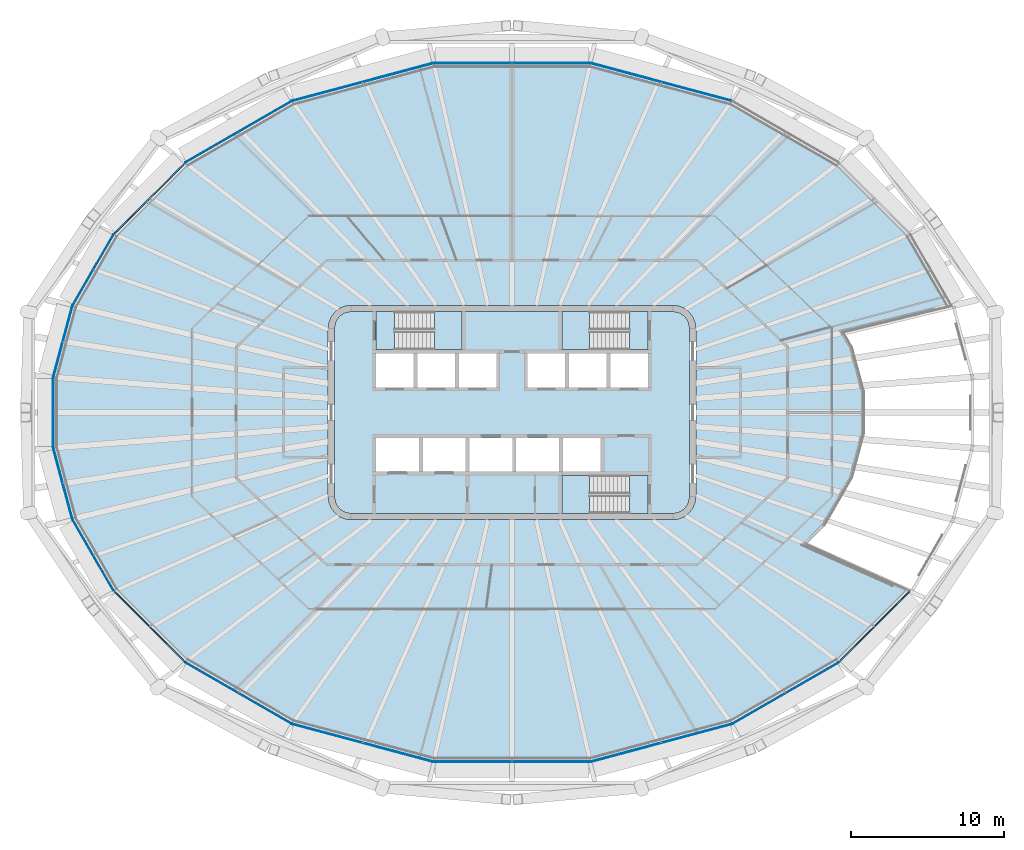
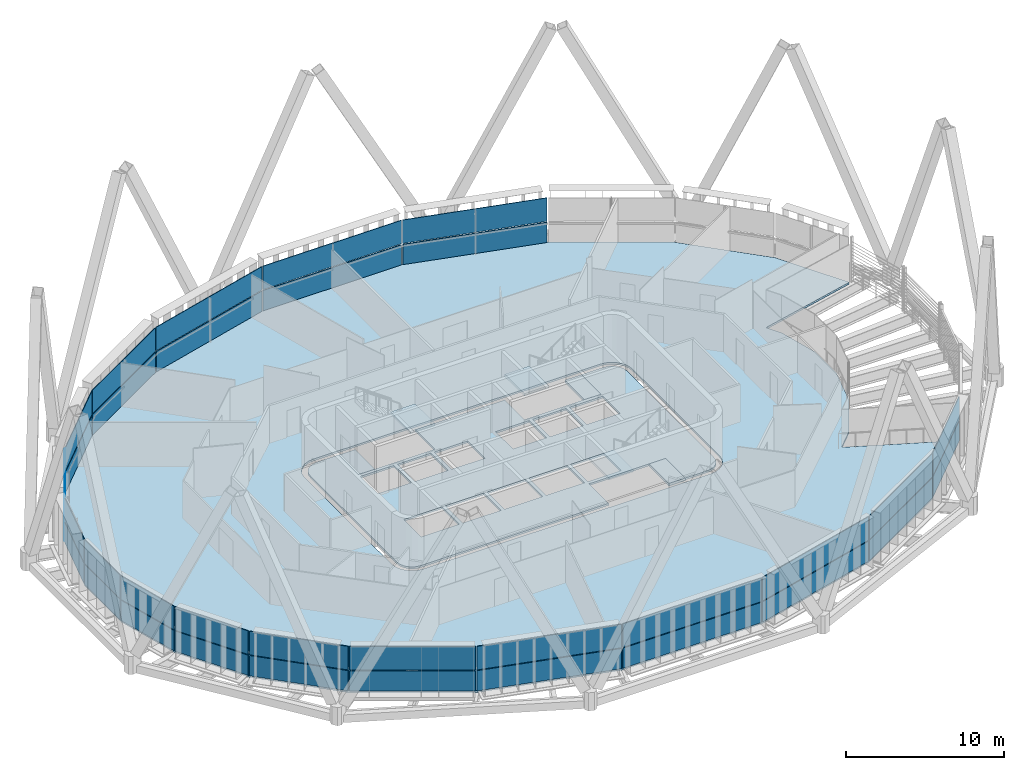
# One storey, part 9 of 20: 34 plates, 8 slabs, 20 elements without a shape of their own.
"""IFC4 building model written with IfcOpenShell, lengths in metres."""

from ifc_helpers import new_model, si_unit, direction, frame, origin, place, context, subcontext, project, spatial, polyline, outline, extrude, material, layer, layer_set, type_object, element, aggregate, save


model = new_model("IFC4")

# Units and contexts
model_context = context("Model", 3, precision=1e-05, world=origin(), true_north=direction((0.0, 1.0)))
body_context = subcontext(model_context, "Body", "Model", "MODEL_VIEW")
ifc_project = project(units=[si_unit("LENGTHUNIT", "METRE"), si_unit("AREAUNIT", "SQUARE_METRE"), si_unit("VOLUMEUNIT", "CUBIC_METRE"), si_unit("PLANEANGLEUNIT", "RADIAN"), si_unit("MASSUNIT", "GRAM", prefix="KILO")], contexts=[model_context])

# Site, building, storey
site_placement = place(None, origin())
site = spatial("IfcSite", under=ifc_project, at=site_placement, CompositionType="ELEMENT")
building_placement = place(site_placement, origin())
building = spatial("IfcBuilding", under=site, at=building_placement, Name="Sahrelin Media Tower", CompositionType="ELEMENT")
storey_placement = place(building_placement, frame((0.0, 0.0, 267.0)))
storey = spatial("IfcBuildingStorey", under=building, at=storey_placement, Name="L58", CompositionType="ELEMENT", Elevation=267.0)

# Slabs
ifc_material_1 = material(Name="Concrete C40/50", Category="concrete")
ifc_layer_1 = layer(ifc_material_1, 0.14990234375)
ifc_layer_set_1 = layer_set([ifc_layer_1], Name="Composite floor slab 150")
slab_type_1 = type_object("IfcSlabType", Name="Composite floor slab 150", PredefinedType="FLOOR", material=ifc_layer_set_1)
placement_1 = place(storey_placement, frame((0.0, 0.0, -0.14990234375)))
element("IfcSlab", 1, at=placement_1, inside=storey, type_object=slab_type_1, Name="Floor slab L58", PredefinedType="FLOOR", context=body_context, shape_type="SweptSolid", body=[
    extrude(outline(polyline([(21.345947265625, -16.2978515625), (25.975830078125, -11.667724609375), (19.164306640625, -8.608154296875), (20.39404296875, -7.37841796875), (22.19677734375, -4.256103515625), (22.966064453125, -1.385009765625), (22.966064453125, 1.385009765625), (22.19677734375, 4.256103515625), (21.628662109375, 5.239990234375), (28.699462890625, 6.952880859375), (25.9794921875, 11.664306640625), (21.345947265625, 16.2978515625), (14.355712890625, 20.33349609375), (5.11328125, 22.81005859375), (-5.11328125, 22.81005859375), (-14.355712890625, 20.33349609375), (-21.345947265625, 16.2978515625), (-25.9794921875, 11.664306640625), (-28.701171875, 6.9501953125), (-29.946044921875, 2.303955078125), (-29.946044921875, -2.303955078125), (-28.701171875, -6.9501953125), (-25.9794921875, -11.664306640625), (-21.345947265625, -16.2978515625), (-14.355712890625, -20.33349609375), (-5.11328125, -22.81005859375), (5.11328125, -22.81005859375), (14.355712890625, -20.33349609375), (21.345947265625, -16.2978515625)]), holes=[polyline([(11.799072265625, 6.25), (11.948974609375, 5.88818359375), (12.0, 5.5), (12.0, -5.5), (11.948974609375, -5.88818359375), (11.799072265625, -6.25), (11.560791015625, -6.560791015625), (11.25, -6.799072265625), (10.88818359375, -6.948974609375), (10.5, -7.0), (-10.5, -7.0), (-10.88818359375, -6.948974609375), (-11.25, -6.799072265625), (-11.560791015625, -6.560791015625), (-11.799072265625, -6.25), (-11.948974609375, -5.88818359375), (-12.0, -5.5), (-12.0, 5.5), (-11.948974609375, 5.88818359375), (-11.799072265625, 6.25), (-11.560791015625, 6.560791015625), (-11.25, 6.799072265625), (-10.88818359375, 6.948974609375), (-10.5, 7.0), (10.5, 7.0), (10.88818359375, 6.948974609375), (11.25, 6.799072265625), (11.560791015625, 6.560791015625), (11.799072265625, 6.25)])]), origin(), (0.0, 0.0, 1.0), 0.14990234375),
])
ifc_layer_2 = layer(ifc_material_1, 0.14990234375)
ifc_layer_set_2 = layer_set([ifc_layer_2], Name="Core floor slab 150")
slab_type_2 = type_object("IfcSlabType", Name="Core floor slab 150", PredefinedType="FLOOR", material=ifc_layer_set_2)
element("IfcSlab", 2, at=placement_1, inside=storey, type_object=slab_type_2, Name="Core floor", PredefinedType="FLOOR", context=body_context, shape_type="SweptSolid", body=[
    extrude(outline(polyline([(-11.60009765625, -5.473876953125), (-11.55908203125, -5.78369140625), (-11.44970703125, -6.04833984375), (-11.275390625, -6.275390625), (-11.04833984375, -6.44970703125), (-10.78369140625, -6.55908203125), (-10.473876953125, -6.60009765625), (3.27490234375, -6.60009765625), (3.27490234375, -4.10009765625), (8.875, -4.10009765625), (8.875, -6.60009765625), (10.473876953125, -6.60009765625), (10.78369140625, -6.55908203125), (11.04833984375, -6.44970703125), (11.275390625, -6.275390625), (11.44970703125, -6.04833984375), (11.55908203125, -5.78369140625), (11.60009765625, -5.473876953125), (11.60009765625, 5.473876953125), (11.55908203125, 5.78369140625), (11.44970703125, 6.04833984375), (11.275390625, 6.275390625), (11.04833984375, 6.44970703125), (10.78369140625, 6.55908203125), (10.473876953125, 6.60009765625), (8.875, 6.60009765625), (8.875, 4.10009765625), (3.27490234375, 4.10009765625), (3.27490234375, 6.60009765625), (-3.27490234375, 6.60009765625), (-3.27490234375, 4.10009765625), (-8.875, 4.10009765625), (-8.875, 6.60009765625), (-10.473876953125, 6.60009765625), (-10.78369140625, 6.55908203125), (-11.04833984375, 6.44970703125), (-11.275390625, 6.275390625), (-11.44970703125, 6.04833984375), (-11.55908203125, 5.78369140625), (-11.60009765625, 5.473876953125), (-11.60009765625, -5.473876953125)]), holes=[polyline([(-8.875, 3.85009765625), (-8.875, 1.64990234375), (-6.425048828125, 1.64990234375), (-6.425048828125, 3.85009765625), (-8.875, 3.85009765625)]), polyline([(-3.72509765625, 3.85009765625), (-6.175048828125, 3.85009765625), (-6.175048828125, 1.64990234375), (-3.72509765625, 1.64990234375), (-3.72509765625, 3.85009765625)]), polyline([(-1.02490234375, 1.64990234375), (-1.02490234375, 3.85009765625), (-3.47509765625, 3.85009765625), (-3.47509765625, 1.64990234375), (-1.02490234375, 1.64990234375)]), polyline([(1.02490234375, 1.64990234375), (3.47509765625, 1.64990234375), (3.47509765625, 3.85009765625), (1.02490234375, 3.85009765625), (1.02490234375, 1.64990234375)]), polyline([(3.72509765625, 3.85009765625), (3.72509765625, 1.64990234375), (6.175048828125, 1.64990234375), (6.175048828125, 3.85009765625), (3.72509765625, 3.85009765625)]), polyline([(8.875, 3.85009765625), (6.425048828125, 3.85009765625), (6.425048828125, 1.64990234375), (8.875, 1.64990234375), (8.875, 3.85009765625)]), polyline([(-6.074951171875, -3.85009765625), (-6.074951171875, -1.64990234375), (-8.875, -1.64990234375), (-8.875, -3.85009765625), (-6.074951171875, -3.85009765625)]), polyline([(-5.824951171875, -3.85009765625), (-3.02490234375, -3.85009765625), (-3.02490234375, -1.64990234375), (-5.824951171875, -1.64990234375), (-5.824951171875, -3.85009765625)]), polyline([(-2.77490234375, -1.64990234375), (-2.77490234375, -3.85009765625), (0.02490234375, -3.85009765625), (0.02490234375, -1.64990234375), (-2.77490234375, -1.64990234375)]), polyline([(3.074951171875, -1.64990234375), (0.27490234375, -1.64990234375), (0.27490234375, -3.85009765625), (3.074951171875, -3.85009765625), (3.074951171875, -1.64990234375)]), polyline([(5.77490234375, -3.85009765625), (5.77490234375, -1.64990234375), (3.324951171875, -1.64990234375), (3.324951171875, -3.85009765625), (5.77490234375, -3.85009765625)])]), origin(), (0.0, 0.0, 1.0), 0.14990234375),
])

# Curtain wall, plate
ifc_material_2 = material(Name="Champagne anodised aluminium 6063-T6", Category="aluminium")
ifc_layer_3 = layer(ifc_material_2, 0.14990234375)
ifc_layer_set_3 = layer_set([ifc_layer_3], Name="Tower ribbon curtain wall")
curtain_wall_type = type_object("IfcCurtainWallType", Name="Tower ribbon curtain wall", PredefinedType="NOTDEFINED", material=ifc_layer_set_3)
curtain_wall_1_placement = place(storey_placement, frame((9.73974609375, 21.59130859375, 0.0), z_axis=(0.0, 0.0, 1.0), x_axis=(1.0, 0.0, 0.0)))
curtain_wall_1 = element("IfcCurtainWall", 3, at=curtain_wall_1_placement, inside=storey, type_object=curtain_wall_type, Name="L58:CW:L58-05", PredefinedType="NOTDEFINED")
ifc_material_3 = material(Name="Clear low-iron glazing", Category="glass")
ifc_layer_4 = layer(ifc_material_3, 0.048095703125)
ifc_layer_set_4 = layer_set([ifc_layer_4], Name="Glazing panel 48 mm CW1C")
plate_type_1 = type_object("IfcPlateType", Name="Glazing panel 48 mm CW1C", PredefinedType="CURTAIN_PANEL", material=ifc_layer_set_4)
plate_1_placement = place(storey_placement, frame((14.3203125, 20.384521484375, 1.6298828125), z_axis=(0.258812513968, 0.965927576278, 0.0), x_axis=(-0.965927576278, 0.258812513968, 0.0)))
plate_1 = element("IfcPlate", 4, at=plate_1_placement, type_object=plate_type_1, Name="L58:CWP2:L58-05", PredefinedType="CURTAIN_PANEL", context=body_context, shape_type="SweptSolid", body=[
    extrude(outline(polyline([(0.0, 0.0), (9.4736328125, 0.0), (9.4736328125, 1.818603515625), (0.0, 1.818603515625), (0.0, 0.0)])), origin(), (0.0, 0.0, -1.0), 0.048095703125),
])

curtain_wall_2_placement = place(storey_placement, frame((0.0, 22.830078125, 0.0), z_axis=(0.0, 0.0, 1.0), x_axis=(1.0, 0.0, 0.0)))
curtain_wall_2 = element("IfcCurtainWall", 5, at=curtain_wall_2_placement, inside=storey, type_object=curtain_wall_type, Name="L58:CW:L58-06", PredefinedType="NOTDEFINED")
plate_2_placement = place(storey_placement, frame((5.06591796875, 22.85009765625, 1.6298828125), z_axis=(0.0, 1.0, 0.0), x_axis=(-1.0, 0.0, 0.0)))
plate_2 = element("IfcPlate", 6, at=plate_2_placement, type_object=plate_type_1, Name="L58:CWP2:L58-06", PredefinedType="CURTAIN_PANEL", context=body_context, shape_type="SweptSolid", body=[
    extrude(outline(polyline([(0.0, 0.0), (10.1318359375, 0.0), (10.1318359375, 1.818603515625), (0.0, 1.818603515625), (0.0, 0.0)])), origin(), (0.0, 0.0, -1.0), 0.048095703125),
])

curtain_wall_3_placement = place(storey_placement, frame((-9.73974609375, 21.591064453125, 0.0), z_axis=(0.0, 0.0, 1.0), x_axis=(1.0, 0.0, 0.0)))
curtain_wall_3 = element("IfcCurtainWall", 7, at=curtain_wall_3_placement, inside=storey, type_object=curtain_wall_type, Name="L58:CW:L58-07", PredefinedType="NOTDEFINED")
plate_3_placement = place(storey_placement, frame((-5.16943359375, 22.83642578125, 1.6298828125), z_axis=(-0.258812513968, 0.965927576278, 0.0), x_axis=(-0.965927576278, -0.258812513968, 0.0)))
plate_3 = element("IfcPlate", 8, at=plate_3_placement, type_object=plate_type_1, Name="L58:CWP2:L58-07", PredefinedType="CURTAIN_PANEL", context=body_context, shape_type="SweptSolid", body=[
    extrude(outline(polyline([(0.0, 0.0), (9.4736328125, 0.0), (9.4736328125, 1.818603515625), (0.0, 1.818603515625), (0.0, 0.0)])), origin(), (0.0, 0.0, -1.0), 0.048095703125),
])

curtain_wall_4_placement = place(storey_placement, frame((-17.86083984375, 18.3330078125, 0.0), z_axis=(0.0, 0.0, 1.0), x_axis=(1.0, 0.0, 0.0)))
curtain_wall_4 = element("IfcCurtainWall", 9, at=curtain_wall_4_placement, inside=storey, type_object=curtain_wall_type, Name="L58:CW:L58-08", PredefinedType="NOTDEFINED")
plate_4_placement = place(storey_placement, frame((-14.416748046875, 20.344482421875, 1.6298828125), z_axis=(-0.499983857782, 0.866034723298, 0.0), x_axis=(-0.866034723298, -0.499983857782, 0.0)))
plate_4 = element("IfcPlate", 10, at=plate_4_placement, type_object=plate_type_1, Name="L58:CWP2:L58-08", PredefinedType="CURTAIN_PANEL", context=body_context, shape_type="SweptSolid", body=[
    extrude(outline(polyline([(0.0, 0.0), (7.976806640625, 0.0), (7.976806640625, 1.818603515625), (0.0, 1.818603515625), (0.0, 0.0)])), origin(), (0.0, 0.0, -1.0), 0.048095703125),
])

curtain_wall_5_placement = place(storey_placement, frame((-23.6767578125, 13.9951171875, 0.0), z_axis=(0.0, 0.0, 1.0), x_axis=(1.0, 0.0, 0.0)))
curtain_wall_5 = element("IfcCurtainWall", 11, at=curtain_wall_5_placement, inside=storey, type_object=curtain_wall_type, Name="L58:CW:L58-09", PredefinedType="NOTDEFINED")
plate_5_placement = place(storey_placement, frame((-21.40771484375, 16.29248046875, 1.6298828125), z_axis=(-0.707106781187, 0.707106781187, 0.0), x_axis=(-0.707106781187, -0.707106781187, 0.0)))
plate_5 = element("IfcPlate", 12, at=plate_5_placement, type_object=plate_type_1, Name="L58:CWP2:L58-09", PredefinedType="CURTAIN_PANEL", context=body_context, shape_type="SweptSolid", body=[
    extrude(outline(polyline([(0.0, 0.0), (6.457763671875, 0.0), (6.457763671875, 1.818603515625), (0.0, 1.818603515625), (0.0, 0.0)])), origin(), (0.0, 0.0, -1.0), 0.048095703125),
])

curtain_wall_6_placement = place(storey_placement, frame((-27.357666015625, 9.317138671875, 0.0), z_axis=(0.0, 0.0, 1.0), x_axis=(1.0, 0.0, 0.0)))
curtain_wall_6 = element("IfcCurtainWall", 13, at=curtain_wall_6_placement, inside=storey, type_object=curtain_wall_type, Name="L58:CW:L58-10", PredefinedType="NOTDEFINED")
plate_6_placement = place(storey_placement, frame((-26.03759765625, 11.643310546875, 1.6298828125), z_axis=(-0.866006956136, 0.500031950903, 0.0), x_axis=(-0.500031950903, -0.866006956136, 0.0)))
plate_6 = element("IfcPlate", 14, at=plate_6_placement, type_object=plate_type_1, Name="L58:CWP2:L58-10", PredefinedType="CURTAIN_PANEL", context=body_context, shape_type="SweptSolid", body=[
    extrude(outline(polyline([(0.0, 0.0), (5.348876953125, 0.0), (5.348876953125, 1.818603515625), (0.0, 1.818603515625), (0.0, 0.0)])), origin(), (0.0, 0.0, -1.0), 0.048095703125),
])

curtain_wall_7_placement = place(storey_placement, frame((-29.343017578125, 4.632080078125, 0.0), z_axis=(0.0, 0.0, 1.0), x_axis=(1.0, 0.0, 0.0)))
curtain_wall_7 = element("IfcCurtainWall", 15, at=curtain_wall_7_placement, inside=storey, type_object=curtain_wall_type, Name="L58:CW:L58-11", PredefinedType="NOTDEFINED")
plate_7_placement = place(storey_placement, frame((-28.752197265625, 6.914794921875, 1.6298828125), z_axis=(-0.965936959015, 0.25877749363, 0.0), x_axis=(-0.25877749363, -0.965936959015, 0.0)))
plate_7 = element("IfcPlate", 16, at=plate_7_placement, type_object=plate_type_1, Name="L58:CWP2:L58-11", PredefinedType="CURTAIN_PANEL", context=body_context, shape_type="SweptSolid", body=[
    extrude(outline(polyline([(0.0, 0.0), (4.71533203125, 0.0), (4.71533203125, 1.818603515625), (0.0, 1.818603515625), (0.0, 0.0)])), origin(), (0.0, 0.0, -1.0), 0.048095703125),
])

curtain_wall_8_placement = place(storey_placement, frame((-29.966064453125, 0.0, 0.0), z_axis=(0.0, 0.0, 1.0), x_axis=(1.0, 0.0, 0.0)))
curtain_wall_8 = element("IfcCurtainWall", 17, at=curtain_wall_8_placement, inside=storey, type_object=curtain_wall_type, Name="L58:CW:L58-12", PredefinedType="NOTDEFINED")
plate_8_placement = place(storey_placement, frame((-29.986083984375, 2.256591796875, 1.6298828125), z_axis=(-1.0, 0.0, 0.0), x_axis=(0.0, -1.0, 0.0)))
plate_8 = element("IfcPlate", 18, at=plate_8_placement, type_object=plate_type_1, Name="L58:CWP2:L58-12", PredefinedType="CURTAIN_PANEL", context=body_context, shape_type="SweptSolid", body=[
    extrude(outline(polyline([(0.0, 0.0), (4.51318359375, 0.0), (4.51318359375, 1.818603515625), (0.0, 1.818603515625), (0.0, 0.0)])), origin(), (0.0, 0.0, -1.0), 0.048095703125),
])

curtain_wall_9_placement = place(storey_placement, frame((-29.343017578125, -4.632080078125, 0.0), z_axis=(0.0, 0.0, 1.0), x_axis=(1.0, 0.0, 0.0)))
curtain_wall_9 = element("IfcCurtainWall", 19, at=curtain_wall_9_placement, inside=storey, type_object=curtain_wall_type, Name="L58:CW:L58-13", PredefinedType="NOTDEFINED")
plate_9_placement = place(storey_placement, frame((-29.972412109375, -2.360107421875, 1.6298828125), z_axis=(-0.965936959015, -0.25877749363, 0.0), x_axis=(0.25877749363, -0.965936959015, 0.0)))
plate_9 = element("IfcPlate", 20, at=plate_9_placement, type_object=plate_type_1, Name="L58:CWP2:L58-13", PredefinedType="CURTAIN_PANEL", context=body_context, shape_type="SweptSolid", body=[
    extrude(outline(polyline([(0.0, 0.0), (4.71533203125, 0.0), (4.71533203125, 1.818603515625), (0.0, 1.818603515625), (0.0, 0.0)])), origin(), (0.0, 0.0, -1.0), 0.048095703125),
])

curtain_wall_10_placement = place(storey_placement, frame((-27.357666015625, -9.3173828125, 0.0), z_axis=(0.0, 0.0, 1.0), x_axis=(1.0, 0.0, 0.0)))
curtain_wall_10 = element("IfcCurtainWall", 21, at=curtain_wall_10_placement, inside=storey, type_object=curtain_wall_type, Name="L58:CW:L58-14", PredefinedType="NOTDEFINED")
plate_10_placement = place(storey_placement, frame((-28.712158203125, -7.01123046875, 1.6298828125), z_axis=(-0.866006956136, -0.500031950903, 0.0), x_axis=(0.500031950903, -0.866006956136, 0.0)))
plate_10 = element("IfcPlate", 22, at=plate_10_placement, type_object=plate_type_1, Name="L58:CWP2:L58-14", PredefinedType="CURTAIN_PANEL", context=body_context, shape_type="SweptSolid", body=[
    extrude(outline(polyline([(0.0, 0.0), (5.348876953125, 0.0), (5.348876953125, 1.818603515625), (0.0, 1.818603515625), (0.0, 0.0)])), origin(), (0.0, 0.0, -1.0), 0.048095703125),
])

curtain_wall_11_placement = place(storey_placement, frame((-23.6767578125, -13.9951171875, 0.0), z_axis=(0.0, 0.0, 1.0), x_axis=(1.0, 0.0, 0.0)))
curtain_wall_11 = element("IfcCurtainWall", 23, at=curtain_wall_11_placement, inside=storey, type_object=curtain_wall_type, Name="L58:CW:L58-15", PredefinedType="NOTDEFINED")
plate_11_placement = place(storey_placement, frame((-25.97412109375, -11.72607421875, 1.6298828125), z_axis=(-0.707106781187, -0.707106781187, 0.0), x_axis=(0.707106781187, -0.707106781187, 0.0)))
plate_11 = element("IfcPlate", 24, at=plate_11_placement, type_object=plate_type_1, Name="L58:CWP2:L58-15", PredefinedType="CURTAIN_PANEL", context=body_context, shape_type="SweptSolid", body=[
    extrude(outline(polyline([(0.0, 0.0), (6.457763671875, 0.0), (6.457763671875, 1.818603515625), (0.0, 1.818603515625), (0.0, 0.0)])), origin(), (0.0, 0.0, -1.0), 0.048095703125),
])

curtain_wall_12_placement = place(storey_placement, frame((-17.86083984375, -18.3330078125, 0.0), z_axis=(0.0, 0.0, 1.0), x_axis=(1.0, 0.0, 0.0)))
curtain_wall_12 = element("IfcCurtainWall", 25, at=curtain_wall_12_placement, inside=storey, type_object=curtain_wall_type, Name="L58:CW:L58-16", PredefinedType="NOTDEFINED")
plate_12_placement = place(storey_placement, frame((-21.324951171875, -16.356201171875, 1.6298828125), z_axis=(-0.499983857782, -0.866034723298, 0.0), x_axis=(0.866034723298, -0.499983857782, 0.0)))
plate_12 = element("IfcPlate", 26, at=plate_12_placement, type_object=plate_type_1, Name="L58:CWP2:L58-16", PredefinedType="CURTAIN_PANEL", context=body_context, shape_type="SweptSolid", body=[
    extrude(outline(polyline([(0.0, 0.0), (7.976806640625, 0.0), (7.976806640625, 1.818603515625), (0.0, 1.818603515625), (0.0, 0.0)])), origin(), (0.0, 0.0, -1.0), 0.048095703125),
])

curtain_wall_13_placement = place(storey_placement, frame((-9.73974609375, -21.59130859375, 0.0), z_axis=(0.0, 0.0, 1.0), x_axis=(1.0, 0.0, 0.0)))
curtain_wall_13 = element("IfcCurtainWall", 27, at=curtain_wall_13_placement, inside=storey, type_object=curtain_wall_type, Name="L58:CW:L58-17", PredefinedType="NOTDEFINED")
plate_13_placement = place(storey_placement, frame((-14.3203125, -20.384521484375, 1.6298828125), z_axis=(-0.258812513968, -0.965927576278, 0.0), x_axis=(0.965927576278, -0.258812513968, 0.0)))
plate_13 = element("IfcPlate", 28, at=plate_13_placement, type_object=plate_type_1, Name="L58:CWP2:L58-17", PredefinedType="CURTAIN_PANEL", context=body_context, shape_type="SweptSolid", body=[
    extrude(outline(polyline([(0.0, 0.0), (9.4736328125, 0.0), (9.4736328125, 1.818603515625), (0.0, 1.818603515625), (0.0, 0.0)])), origin(), (0.0, 0.0, -1.0), 0.048095703125),
])

curtain_wall_14_placement = place(storey_placement, frame((0.0, -22.830078125, 0.0), z_axis=(0.0, 0.0, 1.0), x_axis=(1.0, 0.0, 0.0)))
curtain_wall_14 = element("IfcCurtainWall", 29, at=curtain_wall_14_placement, inside=storey, type_object=curtain_wall_type, Name="L58:CW:L58-18", PredefinedType="NOTDEFINED")
plate_14_placement = place(storey_placement, frame((-5.06591796875, -22.85009765625, 1.6298828125), z_axis=(0.0, -1.0, 0.0), x_axis=(1.0, 0.0, 0.0)))
plate_14 = element("IfcPlate", 30, at=plate_14_placement, type_object=plate_type_1, Name="L58:CWP2:L58-18", PredefinedType="CURTAIN_PANEL", context=body_context, shape_type="SweptSolid", body=[
    extrude(outline(polyline([(0.0, 0.0), (10.1318359375, 0.0), (10.1318359375, 1.818603515625), (0.0, 1.818603515625), (0.0, 0.0)])), origin(), (0.0, 0.0, -1.0), 0.048095703125),
])

curtain_wall_15_placement = place(storey_placement, frame((9.73974609375, -21.591064453125, 0.0), z_axis=(0.0, 0.0, 1.0), x_axis=(1.0, 0.0, 0.0)))
curtain_wall_15 = element("IfcCurtainWall", 31, at=curtain_wall_15_placement, inside=storey, type_object=curtain_wall_type, Name="L58:CW:L58-19", PredefinedType="NOTDEFINED")
plate_15_placement = place(storey_placement, frame((5.16943359375, -22.83642578125, 1.6298828125), z_axis=(0.258812513968, -0.965927576278, 0.0), x_axis=(0.965927576278, 0.258812513968, 0.0)))
plate_15 = element("IfcPlate", 32, at=plate_15_placement, type_object=plate_type_1, Name="L58:CWP2:L58-19", PredefinedType="CURTAIN_PANEL", context=body_context, shape_type="SweptSolid", body=[
    extrude(outline(polyline([(0.0, 0.0), (9.4736328125, 0.0), (9.4736328125, 1.818603515625), (0.0, 1.818603515625), (0.0, 0.0)])), origin(), (0.0, 0.0, -1.0), 0.048095703125),
])

curtain_wall_16_placement = place(storey_placement, frame((17.86083984375, -18.3330078125, 0.0), z_axis=(0.0, 0.0, 1.0), x_axis=(1.0, 0.0, 0.0)))
curtain_wall_16 = element("IfcCurtainWall", 33, at=curtain_wall_16_placement, inside=storey, type_object=curtain_wall_type, Name="L58:CW:L58-20", PredefinedType="NOTDEFINED")
plate_16_placement = place(storey_placement, frame((14.416748046875, -20.344482421875, 1.6298828125), z_axis=(0.499983857782, -0.866034723298, 0.0), x_axis=(0.866034723298, 0.499983857782, 0.0)))
plate_16 = element("IfcPlate", 34, at=plate_16_placement, type_object=plate_type_1, Name="L58:CWP2:L58-20", PredefinedType="CURTAIN_PANEL", context=body_context, shape_type="SweptSolid", body=[
    extrude(outline(polyline([(0.0, 0.0), (7.976806640625, 0.0), (7.976806640625, 1.818603515625), (0.0, 1.818603515625), (0.0, 0.0)])), origin(), (0.0, 0.0, -1.0), 0.048095703125),
])

curtain_wall_17_placement = place(storey_placement, frame((23.6767578125, -13.9951171875, 0.0), z_axis=(0.0, 0.0, 1.0), x_axis=(1.0, 0.0, 0.0)))
curtain_wall_17 = element("IfcCurtainWall", 35, at=curtain_wall_17_placement, inside=storey, type_object=curtain_wall_type, Name="L58:CW:L58-21", PredefinedType="NOTDEFINED")
plate_17_placement = place(storey_placement, frame((21.40771484375, -16.29248046875, 1.6298828125), z_axis=(0.707106781187, -0.707106781187, 0.0), x_axis=(0.707106781187, 0.707106781187, 0.0)))
plate_17 = element("IfcPlate", 36, at=plate_17_placement, type_object=plate_type_1, Name="L58:CWP2:L58-21", PredefinedType="CURTAIN_PANEL", context=body_context, shape_type="SweptSolid", body=[
    extrude(outline(polyline([(0.0, 0.0), (6.457763671875, 0.0), (6.457763671875, 1.818603515625), (0.0, 1.818603515625), (0.0, 0.0)])), origin(), (0.0, 0.0, -1.0), 0.048095703125),
])

# Plate
ifc_material_4 = material(Name="Insulated spandrel panel")
ifc_layer_5 = layer(ifc_material_4, 0.06005859375)
ifc_layer_set_5 = layer_set([ifc_layer_5], Name="Spandrel panel 60 mm CW1")
plate_type_2 = type_object("IfcPlateType", Name="Spandrel panel 60 mm CW1", PredefinedType="SHEET", material=ifc_layer_set_5)
plate_18_placement = place(storey_placement, frame((14.3203125, 20.384521484375, 0.0), z_axis=(0.258812513968, 0.965927576278, 0.0), x_axis=(-0.965927576278, 0.258812513968, 0.0)))
plate_18 = element("IfcPlate", 37, at=plate_18_placement, type_object=plate_type_2, Name="L58:CWP1:L58-05", PredefinedType="SHEET", context=body_context, shape_type="SweptSolid", body=[
    extrude(outline(polyline([(0.0, 0.0), (9.4736328125, 0.0), (9.4736328125, 1.570068359375), (0.0, 1.570068359375), (0.0, 0.0)])), origin(), (0.0, 0.0, -1.0), 0.06005859375),
])

aggregate(curtain_wall_1, [plate_18, plate_1])

plate_19_placement = place(storey_placement, frame((5.06591796875, 22.85009765625, 0.0), z_axis=(0.0, 1.0, 0.0), x_axis=(-1.0, 0.0, 0.0)))
plate_19 = element("IfcPlate", 38, at=plate_19_placement, type_object=plate_type_2, Name="L58:CWP1:L58-06", PredefinedType="SHEET", context=body_context, shape_type="SweptSolid", body=[
    extrude(outline(polyline([(0.0, 0.0), (10.1318359375, 0.0), (10.1318359375, 1.570068359375), (0.0, 1.570068359375), (0.0, 0.0)])), origin(), (0.0, 0.0, -1.0), 0.06005859375),
])

aggregate(curtain_wall_2, [plate_19, plate_2])

plate_20_placement = place(storey_placement, frame((-5.16943359375, 22.83642578125, 0.0), z_axis=(-0.258812513968, 0.965927576278, 0.0), x_axis=(-0.965927576278, -0.258812513968, 0.0)))
plate_20 = element("IfcPlate", 39, at=plate_20_placement, type_object=plate_type_2, Name="L58:CWP1:L58-07", PredefinedType="SHEET", context=body_context, shape_type="SweptSolid", body=[
    extrude(outline(polyline([(0.0, 0.0), (9.4736328125, 0.0), (9.4736328125, 1.570068359375), (0.0, 1.570068359375), (0.0, 0.0)])), origin(), (0.0, 0.0, -1.0), 0.06005859375),
])

aggregate(curtain_wall_3, [plate_20, plate_3])

plate_21_placement = place(storey_placement, frame((-14.416748046875, 20.344482421875, 0.0), z_axis=(-0.499983857782, 0.866034723298, 0.0), x_axis=(-0.866034723298, -0.499983857782, 0.0)))
plate_21 = element("IfcPlate", 40, at=plate_21_placement, type_object=plate_type_2, Name="L58:CWP1:L58-08", PredefinedType="SHEET", context=body_context, shape_type="SweptSolid", body=[
    extrude(outline(polyline([(0.0, 0.0), (7.976806640625, 0.0), (7.976806640625, 1.570068359375), (0.0, 1.570068359375), (0.0, 0.0)])), origin(), (0.0, 0.0, -1.0), 0.06005859375),
])

aggregate(curtain_wall_4, [plate_21, plate_4])

plate_22_placement = place(storey_placement, frame((-21.40771484375, 16.29248046875, 0.0), z_axis=(-0.707106781187, 0.707106781187, 0.0), x_axis=(-0.707106781187, -0.707106781187, 0.0)))
plate_22 = element("IfcPlate", 41, at=plate_22_placement, type_object=plate_type_2, Name="L58:CWP1:L58-09", PredefinedType="SHEET", context=body_context, shape_type="SweptSolid", body=[
    extrude(outline(polyline([(0.0, 0.0), (6.457763671875, 0.0), (6.457763671875, 1.570068359375), (0.0, 1.570068359375), (0.0, 0.0)])), origin(), (0.0, 0.0, -1.0), 0.06005859375),
])

aggregate(curtain_wall_5, [plate_22, plate_5])

plate_23_placement = place(storey_placement, frame((-26.03759765625, 11.643310546875, 0.0), z_axis=(-0.866006956136, 0.500031950903, 0.0), x_axis=(-0.500031950903, -0.866006956136, 0.0)))
plate_23 = element("IfcPlate", 42, at=plate_23_placement, type_object=plate_type_2, Name="L58:CWP1:L58-10", PredefinedType="SHEET", context=body_context, shape_type="SweptSolid", body=[
    extrude(outline(polyline([(0.0, 0.0), (5.348876953125, 0.0), (5.348876953125, 1.570068359375), (0.0, 1.570068359375), (0.0, 0.0)])), origin(), (0.0, 0.0, -1.0), 0.06005859375),
])

aggregate(curtain_wall_6, [plate_23, plate_6])

plate_24_placement = place(storey_placement, frame((-28.752197265625, 6.914794921875, 0.0), z_axis=(-0.965936959015, 0.25877749363, 0.0), x_axis=(-0.25877749363, -0.965936959015, 0.0)))
plate_24 = element("IfcPlate", 43, at=plate_24_placement, type_object=plate_type_2, Name="L58:CWP1:L58-11", PredefinedType="SHEET", context=body_context, shape_type="SweptSolid", body=[
    extrude(outline(polyline([(0.0, 0.0), (4.71533203125, 0.0), (4.71533203125, 1.570068359375), (0.0, 1.570068359375), (0.0, 0.0)])), origin(), (0.0, 0.0, -1.0), 0.06005859375),
])

aggregate(curtain_wall_7, [plate_24, plate_7])

plate_25_placement = place(storey_placement, frame((-29.986083984375, 2.256591796875, 0.0), z_axis=(-1.0, 0.0, 0.0), x_axis=(0.0, -1.0, 0.0)))
plate_25 = element("IfcPlate", 44, at=plate_25_placement, type_object=plate_type_2, Name="L58:CWP1:L58-12", PredefinedType="SHEET", context=body_context, shape_type="SweptSolid", body=[
    extrude(outline(polyline([(0.0, 0.0), (4.51318359375, 0.0), (4.51318359375, 1.570068359375), (0.0, 1.570068359375), (0.0, 0.0)])), origin(), (0.0, 0.0, -1.0), 0.06005859375),
])

aggregate(curtain_wall_8, [plate_25, plate_8])

plate_26_placement = place(storey_placement, frame((-29.972412109375, -2.360107421875, 0.0), z_axis=(-0.965936959015, -0.25877749363, 0.0), x_axis=(0.25877749363, -0.965936959015, 0.0)))
plate_26 = element("IfcPlate", 45, at=plate_26_placement, type_object=plate_type_2, Name="L58:CWP1:L58-13", PredefinedType="SHEET", context=body_context, shape_type="SweptSolid", body=[
    extrude(outline(polyline([(0.0, 0.0), (4.71533203125, 0.0), (4.71533203125, 1.570068359375), (0.0, 1.570068359375), (0.0, 0.0)])), origin(), (0.0, 0.0, -1.0), 0.06005859375),
])

aggregate(curtain_wall_9, [plate_26, plate_9])

plate_27_placement = place(storey_placement, frame((-28.712158203125, -7.01123046875, 0.0), z_axis=(-0.866006956136, -0.500031950903, 0.0), x_axis=(0.500031950903, -0.866006956136, 0.0)))
plate_27 = element("IfcPlate", 46, at=plate_27_placement, type_object=plate_type_2, Name="L58:CWP1:L58-14", PredefinedType="SHEET", context=body_context, shape_type="SweptSolid", body=[
    extrude(outline(polyline([(0.0, 0.0), (5.348876953125, 0.0), (5.348876953125, 1.570068359375), (0.0, 1.570068359375), (0.0, 0.0)])), origin(), (0.0, 0.0, -1.0), 0.06005859375),
])

aggregate(curtain_wall_10, [plate_27, plate_10])

plate_28_placement = place(storey_placement, frame((-25.97412109375, -11.72607421875, 0.0), z_axis=(-0.707106781187, -0.707106781187, 0.0), x_axis=(0.707106781187, -0.707106781187, 0.0)))
plate_28 = element("IfcPlate", 47, at=plate_28_placement, type_object=plate_type_2, Name="L58:CWP1:L58-15", PredefinedType="SHEET", context=body_context, shape_type="SweptSolid", body=[
    extrude(outline(polyline([(0.0, 0.0), (6.457763671875, 0.0), (6.457763671875, 1.570068359375), (0.0, 1.570068359375), (0.0, 0.0)])), origin(), (0.0, 0.0, -1.0), 0.06005859375),
])

aggregate(curtain_wall_11, [plate_28, plate_11])

plate_29_placement = place(storey_placement, frame((-21.324951171875, -16.356201171875, 0.0), z_axis=(-0.499983857782, -0.866034723298, 0.0), x_axis=(0.866034723298, -0.499983857782, 0.0)))
plate_29 = element("IfcPlate", 48, at=plate_29_placement, type_object=plate_type_2, Name="L58:CWP1:L58-16", PredefinedType="SHEET", context=body_context, shape_type="SweptSolid", body=[
    extrude(outline(polyline([(0.0, 0.0), (7.976806640625, 0.0), (7.976806640625, 1.570068359375), (0.0, 1.570068359375), (0.0, 0.0)])), origin(), (0.0, 0.0, -1.0), 0.06005859375),
])

aggregate(curtain_wall_12, [plate_29, plate_12])

plate_30_placement = place(storey_placement, frame((-14.3203125, -20.384521484375, 0.0), z_axis=(-0.258812513968, -0.965927576278, 0.0), x_axis=(0.965927576278, -0.258812513968, 0.0)))
plate_30 = element("IfcPlate", 49, at=plate_30_placement, type_object=plate_type_2, Name="L58:CWP1:L58-17", PredefinedType="SHEET", context=body_context, shape_type="SweptSolid", body=[
    extrude(outline(polyline([(0.0, 0.0), (9.4736328125, 0.0), (9.4736328125, 1.570068359375), (0.0, 1.570068359375), (0.0, 0.0)])), origin(), (0.0, 0.0, -1.0), 0.06005859375),
])

aggregate(curtain_wall_13, [plate_30, plate_13])

plate_31_placement = place(storey_placement, frame((-5.06591796875, -22.85009765625, 0.0), z_axis=(0.0, -1.0, 0.0), x_axis=(1.0, 0.0, 0.0)))
plate_31 = element("IfcPlate", 50, at=plate_31_placement, type_object=plate_type_2, Name="L58:CWP1:L58-18", PredefinedType="SHEET", context=body_context, shape_type="SweptSolid", body=[
    extrude(outline(polyline([(0.0, 0.0), (10.1318359375, 0.0), (10.1318359375, 1.570068359375), (0.0, 1.570068359375), (0.0, 0.0)])), origin(), (0.0, 0.0, -1.0), 0.06005859375),
])

aggregate(curtain_wall_14, [plate_31, plate_14])

plate_32_placement = place(storey_placement, frame((5.16943359375, -22.83642578125, 0.0), z_axis=(0.258812513968, -0.965927576278, 0.0), x_axis=(0.965927576278, 0.258812513968, 0.0)))
plate_32 = element("IfcPlate", 51, at=plate_32_placement, type_object=plate_type_2, Name="L58:CWP1:L58-19", PredefinedType="SHEET", context=body_context, shape_type="SweptSolid", body=[
    extrude(outline(polyline([(0.0, 0.0), (9.4736328125, 0.0), (9.4736328125, 1.570068359375), (0.0, 1.570068359375), (0.0, 0.0)])), origin(), (0.0, 0.0, -1.0), 0.06005859375),
])

aggregate(curtain_wall_15, [plate_32, plate_15])

plate_33_placement = place(storey_placement, frame((14.416748046875, -20.344482421875, 0.0), z_axis=(0.499983857782, -0.866034723298, 0.0), x_axis=(0.866034723298, 0.499983857782, 0.0)))
plate_33 = element("IfcPlate", 52, at=plate_33_placement, type_object=plate_type_2, Name="L58:CWP1:L58-20", PredefinedType="SHEET", context=body_context, shape_type="SweptSolid", body=[
    extrude(outline(polyline([(0.0, 0.0), (7.976806640625, 0.0), (7.976806640625, 1.570068359375), (0.0, 1.570068359375), (0.0, 0.0)])), origin(), (0.0, 0.0, -1.0), 0.06005859375),
])

aggregate(curtain_wall_16, [plate_33, plate_16])

plate_34_placement = place(storey_placement, frame((21.40771484375, -16.29248046875, 0.0), z_axis=(0.707106781187, -0.707106781187, 0.0), x_axis=(0.707106781187, 0.707106781187, 0.0)))
plate_34 = element("IfcPlate", 53, at=plate_34_placement, type_object=plate_type_2, Name="L58:CWP1:L58-21", PredefinedType="SHEET", context=body_context, shape_type="SweptSolid", body=[
    extrude(outline(polyline([(0.0, 0.0), (6.457763671875, 0.0), (6.457763671875, 1.570068359375), (0.0, 1.570068359375), (0.0, 0.0)])), origin(), (0.0, 0.0, -1.0), 0.06005859375),
])

aggregate(curtain_wall_17, [plate_34, plate_17])

# Stair, slabs
stair_type = type_object("IfcStairType", Name="Exit stair 1200", PredefinedType="HALF_TURN_STAIR", material=ifc_material_1)
placement_2 = place(storey_placement, origin())
stair_1 = element("IfcStair", 54, at=placement_2, inside=storey, type_object=stair_type, Name="L58 Exit stair ST1", PredefinedType="HALF_TURN_STAIR")
ifc_layer_6 = layer(ifc_material_1, 0.199951171875)
ifc_layer_set_6 = layer_set([ifc_layer_6], Name="Stair landing 200")
slab_type_3 = type_object("IfcSlabType", Name="Stair landing 200", PredefinedType="LANDING", material=ifc_layer_set_6)
placement_3 = place(storey_placement, frame((0.0, 0.0, 1.800048828125)))
slab_3 = element("IfcSlab", 55, at=placement_3, type_object=slab_type_3, Name="ST1 landing 1", PredefinedType="LANDING", context=body_context, shape_type="SweptSolid", body=[
    extrude(outline(polyline([(-5.074951171875, 4.10009765625), (-3.27490234375, 4.10009765625), (-3.27490234375, 6.60009765625), (-5.074951171875, 6.60009765625), (-5.074951171875, 4.10009765625)])), origin(), (0.0, 0.0, 1.0), 0.199951171875),
])
placement_4 = place(storey_placement, frame((0.0, 0.0, -0.199951171875)))
slab_4 = element("IfcSlab", 56, at=placement_4, type_object=slab_type_3, Name="ST1 landing 2", PredefinedType="LANDING", context=body_context, shape_type="SweptSolid", body=[
    extrude(outline(polyline([(-8.875, 4.10009765625), (-7.675048828125, 4.10009765625), (-7.675048828125, 6.60009765625), (-8.875, 6.60009765625), (-8.875, 4.10009765625)])), origin(), (0.0, 0.0, 1.0), 0.199951171875),
])
aggregate(stair_1, [slab_3, slab_4])

stair_2 = element("IfcStair", 57, at=placement_2, inside=storey, type_object=stair_type, Name="L58 Exit stair ST3", PredefinedType="HALF_TURN_STAIR")
slab_5 = element("IfcSlab", 58, at=placement_3, type_object=slab_type_3, Name="ST3 landing 1", PredefinedType="LANDING", context=body_context, shape_type="SweptSolid", body=[
    extrude(outline(polyline([(5.074951171875, 6.60009765625), (3.27490234375, 6.60009765625), (3.27490234375, 4.10009765625), (5.074951171875, 4.10009765625), (5.074951171875, 6.60009765625)])), origin(), (0.0, 0.0, 1.0), 0.199951171875),
])
slab_6 = element("IfcSlab", 59, at=placement_4, type_object=slab_type_3, Name="ST3 landing 2", PredefinedType="LANDING", context=body_context, shape_type="SweptSolid", body=[
    extrude(outline(polyline([(8.875, 6.60009765625), (7.675048828125, 6.60009765625), (7.675048828125, 4.10009765625), (8.875, 4.10009765625), (8.875, 6.60009765625)])), origin(), (0.0, 0.0, 1.0), 0.199951171875),
])
aggregate(stair_2, [slab_5, slab_6])

stair_3 = element("IfcStair", 60, at=placement_2, inside=storey, type_object=stair_type, Name="L58 Exit stair ST2", PredefinedType="HALF_TURN_STAIR")
slab_7 = element("IfcSlab", 61, at=placement_3, type_object=slab_type_3, Name="ST2 landing 1", PredefinedType="LANDING", context=body_context, shape_type="SweptSolid", body=[
    extrude(outline(polyline([(5.074951171875, -4.10009765625), (3.27490234375, -4.10009765625), (3.27490234375, -6.60009765625), (5.074951171875, -6.60009765625), (5.074951171875, -4.10009765625)])), origin(), (0.0, 0.0, 1.0), 0.199951171875),
])
slab_8 = element("IfcSlab", 62, at=placement_4, type_object=slab_type_3, Name="ST2 landing 2", PredefinedType="LANDING", context=body_context, shape_type="SweptSolid", body=[
    extrude(outline(polyline([(8.875, -4.10009765625), (7.675048828125, -4.10009765625), (7.675048828125, -6.60009765625), (8.875, -6.60009765625), (8.875, -4.10009765625)])), origin(), (0.0, 0.0, 1.0), 0.199951171875),
])
aggregate(stair_3, [slab_7, slab_8])

save(model, "model.ifc")
